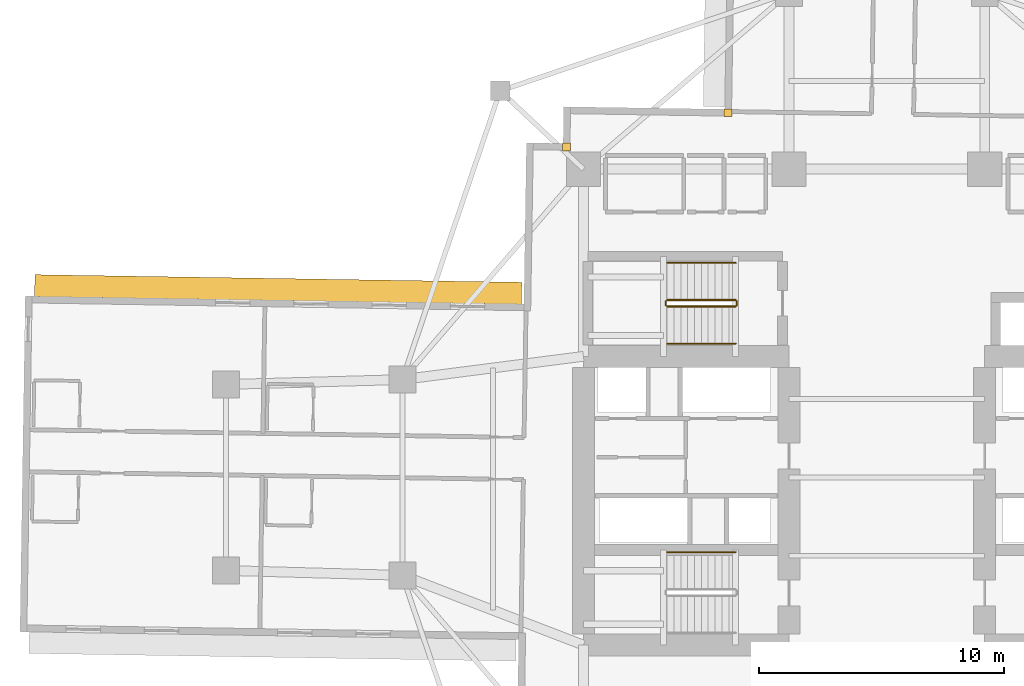
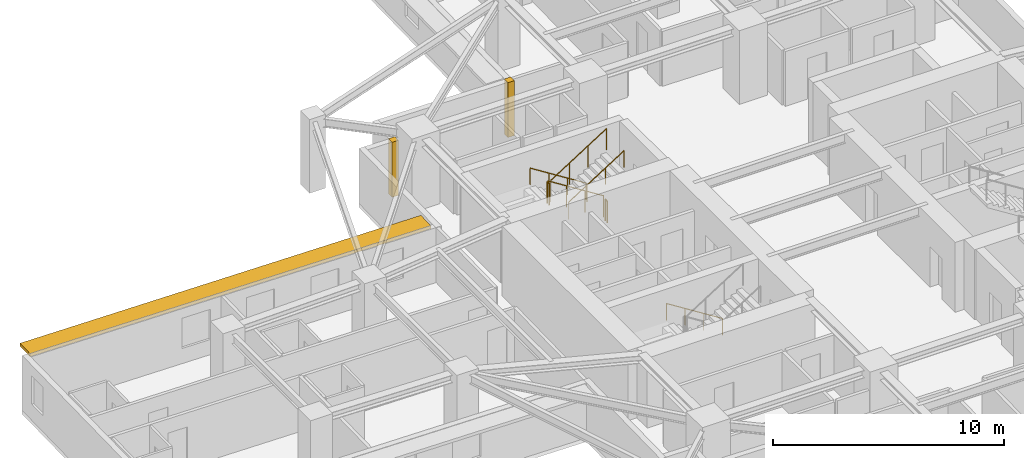
# One storey, part 12 of 13: 7 railings, 2 coverings, 1 shading device.
"""IFC4 building model written with IfcOpenShell, lengths in metres."""

from ifc_helpers import new_model, si_unit, direction, frame, origin, origin_2d, place, context, subcontext, project, spatial, rectangle, circle, extrude, material, layer, layer_set, type_object, element, save


model = new_model("IFC4")

# Units and contexts
model_context = context("Model", 3, precision=1e-05, world=origin(), true_north=direction((0.0, 1.0)))
body_context = subcontext(model_context, "Body", "Model", "MODEL_VIEW")
ifc_project = project(units=[si_unit("LENGTHUNIT", "METRE"), si_unit("AREAUNIT", "SQUARE_METRE"), si_unit("VOLUMEUNIT", "CUBIC_METRE"), si_unit("PLANEANGLEUNIT", "RADIAN"), si_unit("MASSUNIT", "GRAM", prefix="KILO")], contexts=[model_context])

# Site, building, storey
site_placement = place(None, origin())
site = spatial("IfcSite", under=ifc_project, at=site_placement, CompositionType="ELEMENT")
building_placement = place(site_placement, origin())
building = spatial("IfcBuilding", under=site, at=building_placement, Name="Qingluan Cross Belvedere", CompositionType="ELEMENT")
storey_placement = place(building_placement, frame((0.0, 0.0, 67.800048828125)))
storey = spatial("IfcBuildingStorey", under=building, at=storey_placement, Name="L17", CompositionType="ELEMENT", Elevation=67.800048828125)

# Coverings
ifc_material_1 = material(Name="Precast concrete C45", Category="concrete")
ifc_layer_1 = layer(ifc_material_1, 0.1201171875, Name="ConcreteSpandrelCladding_120")
ifc_layer_set_1 = layer_set([ifc_layer_1], Name="Precast concrete C45")
covering_type = type_object("IfcCoveringType", Name="ConcreteSpandrelCladding_120", PredefinedType="CLADDING", material=ifc_layer_set_1)
for number, where, z_axis, x_axis, name in (
    (1, (-13.089599609375, 13.50732421875, 0.0), (0.0, 0.0, 1.0), (0.999876632482, -0.015707317312, 0.0), "Corner closure L17-NW1"),
    (2, (-6.48681640625, 14.90380859375, 0.0), (0.0, 0.0, 1.0), (0.999876632482, -0.015707317312, 0.0), "Corner closure L17-NW2"),
):
    element("IfcCovering", number, at=place(storey_placement, frame(where, z_axis=z_axis, x_axis=x_axis)), inside=storey, type_object=covering_type, Name=name, PredefinedType="CLADDING", context=body_context, shape_type="SweptSolid", body=[
        extrude(rectangle(XDim=0.320068359375, YDim=0.320068359375, at=origin_2d()), origin(), (0.0, 0.0, 1.0), 2.909912109375),
    ])

# Shading device
ifc_material_2 = material(Name="Precast concrete C45", Category="concrete")
ifc_layer_2 = layer(ifc_material_2, 0.159912109375, Name="ConcreteSunshadeBand_900")
ifc_layer_set_2 = layer_set([ifc_layer_2], Name="Precast concrete C45")
shading_device_type = type_object("IfcShadingDeviceType", Name="ConcreteSunshadeBand_900", PredefinedType="USERDEFINED", material=ifc_layer_set_2)
shading_device_placement = place(storey_placement, frame((-24.872314453125, 7.681640625, 2.72998046875), z_axis=(0.0, 0.0, 1.0), x_axis=(-0.999876567432, 0.015711457647, 0.0)))
element("IfcShadingDevice", 3, at=shading_device_placement, inside=storey, type_object=shading_device_type, Name="Concrete SUNSHADE L17-WA", ObjectType="SUNSHADE", PredefinedType="USERDEFINED", context=body_context, shape_type="SweptSolid", body=[
    extrude(rectangle(XDim=19.89990234375, YDim=0.89990234375, at=origin_2d()), origin(), (0.0, 0.0, 1.0), 0.159912109375),
])

# Railings
ifc_material_3 = material(Name="Brushed stainless steel tubular handrail", Category="steel")
railing_type_1 = type_object("IfcRailingType", Name="StairPitchHandrail_900", PredefinedType="HANDRAIL", material=ifc_material_3)
for number, where, name in (
    (4, (-6.179931640625, -3.050048828125, 0.17724609375), "L17 ST1 stair handrail 1"),
    (5, (-6.179931640625, 8.77001953125, 0.17724609375), "L17 ST3 stair handrail 1"),
):
    element("IfcRailing", number, at=place(storey_placement, frame(where)), inside=storey, type_object=railing_type_1, Name=name, PredefinedType="HANDRAIL", context=body_context, shape_type="SweptSolid", body=[
        extrude(circle(Radius=0.02392578125, at=origin_2d()), frame((0.0, 0.0, 0.8759765625), z_axis=(-0.844908973607, 0.0, 0.534910110503), x_axis=(0.0, -1.0, 0.0)), (0.0, 0.0, 1.0), 3.31396484375),
        extrude(circle(Radius=0.02099609375, at=origin_2d()), origin(), (0.0, 0.0, 1.0), 0.851806640625),
        extrude(circle(Radius=0.02099609375, at=origin_2d()), frame((-0.933349609375, 0.0, 0.5908203125)), (0.0, 0.0, 1.0), 0.851806640625),
        extrude(circle(Radius=0.02099609375, at=origin_2d()), frame((-1.86669921875, 0.0, 1.181884765625)), (0.0, 0.0, 1.0), 0.851806640625),
        extrude(circle(Radius=0.02099609375, at=origin_2d()), frame((-2.800048828125, 0.0, 1.772705078125)), (0.0, 0.0, 1.0), 0.851806640625),
    ])
railing_1_placement = place(storey_placement, frame((-8.97998046875, 5.469970703125, 2.127197265625)))
element("IfcRailing", 6, at=railing_1_placement, inside=storey, type_object=railing_type_1, Name="L17 ST3 stair handrail 2", PredefinedType="HANDRAIL", context=body_context, shape_type="SweptSolid", body=[
    extrude(circle(Radius=0.02392578125, at=origin_2d()), frame((0.0, 0.0, 0.8759765625), z_axis=(0.844908973607, 0.0, 0.534910110503), x_axis=(0.0, 1.0, 0.0)), (0.0, 0.0, 1.0), 3.31396484375),
    extrude(circle(Radius=0.02099609375, at=origin_2d()), origin(), (0.0, 0.0, 1.0), 0.851806640625),
    extrude(circle(Radius=0.02099609375, at=origin_2d()), frame((0.933349609375, 0.0, 0.5908203125)), (0.0, 0.0, 1.0), 0.851806640625),
    extrude(circle(Radius=0.02099609375, at=origin_2d()), frame((1.86669921875, 0.0, 1.181884765625)), (0.0, 0.0, 1.0), 0.851806640625),
    extrude(circle(Radius=0.02099609375, at=origin_2d()), frame((2.800048828125, 0.0, 1.772705078125)), (0.0, 0.0, 1.0), 0.851806640625),
])
ifc_material_4 = material(Name="Painted steel stair well guard", Category="steel")
railing_type_2 = type_object("IfcRailingType", Name="StairWellGuard_1150", PredefinedType="BALUSTRADE", material=ifc_material_4)
railing_2_placement = place(storey_placement, frame((-6.179931640625, 7.25, 0.17724609375)))
element("IfcRailing", 7, at=railing_2_placement, inside=storey, type_object=railing_type_2, Name="L17 ST3 stair guard 1", PredefinedType="BALUSTRADE", context=body_context, shape_type="SweptSolid", body=[
    extrude(circle(Radius=0.02392578125, at=origin_2d()), frame((0.0, 0.0, 1.1259765625), z_axis=(-0.844908973607, 0.0, 0.534910110503), x_axis=(0.0, -1.0, 0.0)), (0.0, 0.0, 1.0), 3.31396484375),
    extrude(circle(Radius=0.02099609375, at=origin_2d()), origin(), (0.0, 0.0, 1.0), 1.101806640625),
    extrude(circle(Radius=0.02099609375, at=origin_2d()), frame((-0.933349609375, 0.0, 0.5908203125)), (0.0, 0.0, 1.0), 1.101806640625),
    extrude(circle(Radius=0.02099609375, at=origin_2d()), frame((-1.86669921875, 0.0, 1.181884765625)), (0.0, 0.0, 1.0), 1.101806640625),
    extrude(circle(Radius=0.02099609375, at=origin_2d()), frame((-2.800048828125, 0.0, 1.772705078125)), (0.0, 0.0, 1.0), 1.101806640625),
])
railing_3_placement = place(storey_placement, frame((-9.030029296875, 7.199951171875, 1.949951171875)))
element("IfcRailing", 8, at=railing_3_placement, inside=storey, type_object=railing_type_2, Name="L17 ST3 stair guard 2", PredefinedType="BALUSTRADE", context=body_context, shape_type="SweptSolid", body=[
    extrude(circle(Radius=0.02392578125, at=origin_2d()), frame((0.0, 0.0, 1.1259765625), z_axis=(0.0, -1.0, 0.0), x_axis=(1.0, 0.0, 0.0)), (0.0, 0.0, 1.0), 0.159912109375),
    extrude(circle(Radius=0.02099609375, at=origin_2d()), origin(), (0.0, 0.0, 1.0), 1.101806640625),
    extrude(circle(Radius=0.02099609375, at=origin_2d()), frame((0.0, -0.159912109375, 0.0)), (0.0, 0.0, 1.0), 1.101806640625),
])
railing_4_placement = place(storey_placement, frame((-8.97998046875, 6.989990234375, 2.127197265625)))
element("IfcRailing", 9, at=railing_4_placement, inside=storey, type_object=railing_type_2, Name="L17 ST3 stair guard 3", PredefinedType="BALUSTRADE", context=body_context, shape_type="SweptSolid", body=[
    extrude(circle(Radius=0.02392578125, at=origin_2d()), frame((0.0, 0.0, 1.1259765625), z_axis=(0.844908973607, 0.0, 0.534910110503), x_axis=(0.0, 1.0, 0.0)), (0.0, 0.0, 1.0), 3.31396484375),
    extrude(circle(Radius=0.02099609375, at=origin_2d()), origin(), (0.0, 0.0, 1.0), 1.101806640625),
    extrude(circle(Radius=0.02099609375, at=origin_2d()), frame((0.933349609375, 0.0, 0.5908203125)), (0.0, 0.0, 1.0), 1.101806640625),
    extrude(circle(Radius=0.02099609375, at=origin_2d()), frame((1.86669921875, 0.0, 1.181884765625)), (0.0, 0.0, 1.0), 1.101806640625),
    extrude(circle(Radius=0.02099609375, at=origin_2d()), frame((2.800048828125, 0.0, 1.772705078125)), (0.0, 0.0, 1.0), 1.101806640625),
])
railing_5_placement = place(storey_placement, frame((-6.1298828125, 7.199951171875, 0.0)))
element("IfcRailing", 10, at=railing_5_placement, inside=storey, type_object=railing_type_2, Name="L17 ST3 stair guard 4", PredefinedType="BALUSTRADE", context=body_context, shape_type="SweptSolid", body=[
    extrude(circle(Radius=0.02392578125, at=origin_2d()), frame((0.0, 0.0, 1.1259765625), z_axis=(0.0, -1.0, 0.0), x_axis=(1.0, 0.0, 0.0)), (0.0, 0.0, 1.0), 0.159912109375),
    extrude(circle(Radius=0.02099609375, at=origin_2d()), origin(), (0.0, 0.0, 1.0), 1.101806640625),
    extrude(circle(Radius=0.02099609375, at=origin_2d()), frame((0.0, -0.159912109375, 0.0)), (0.0, 0.0, 1.0), 1.101806640625),
])

save(model, "model.ifc")
